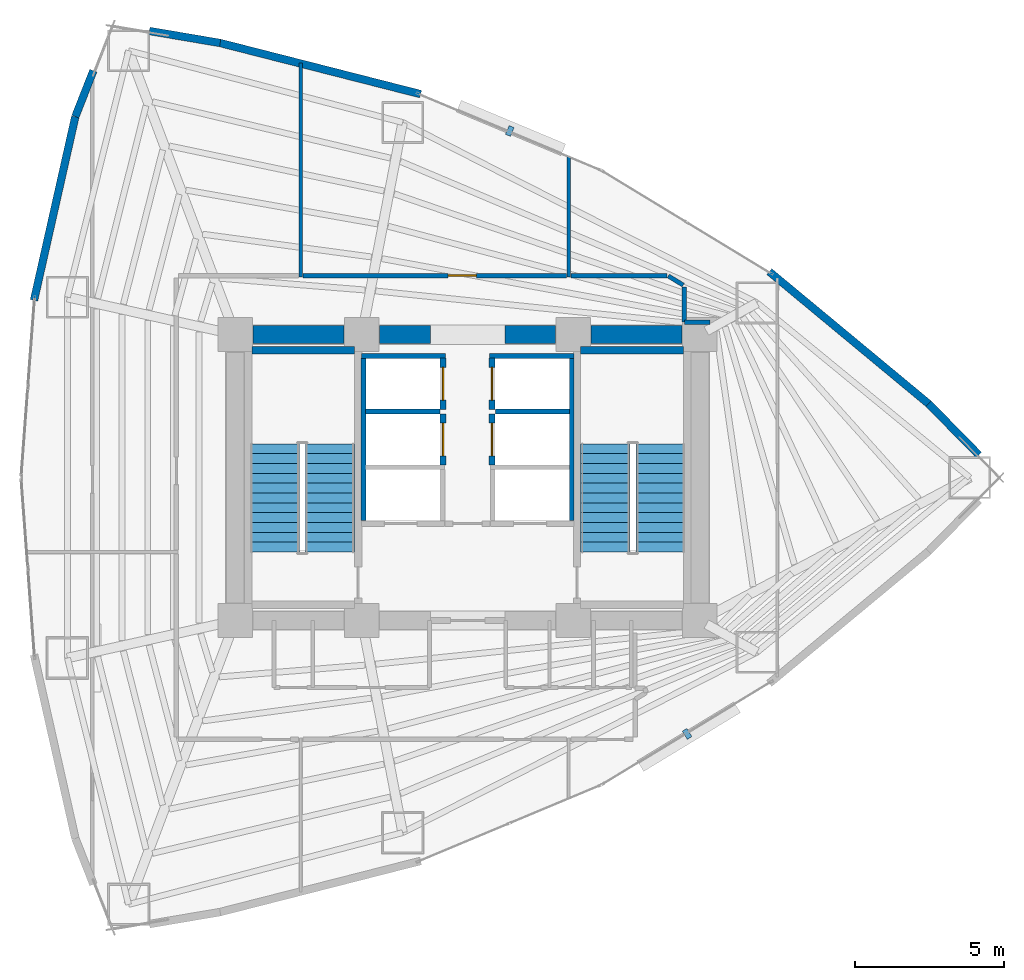
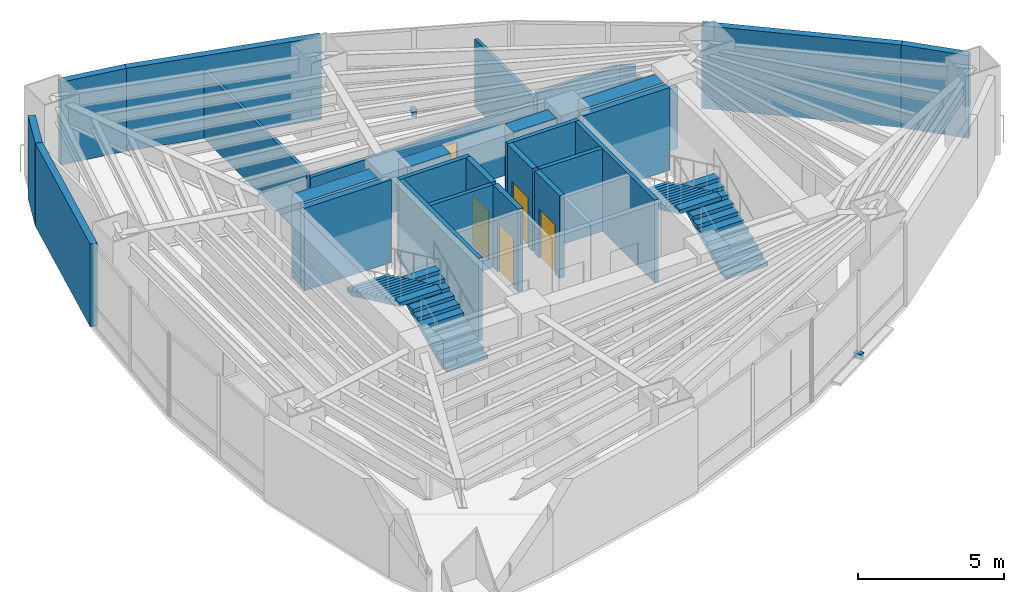
# One storey, part 15 of 17: 29 walls, 5 doors, 4 stair flights, 2 discrete accessories, 5 openings, 2 elements without a shape of their own.
"""IFC4 building model written with IfcOpenShell, lengths in metres."""

from ifc_helpers import new_model, si_unit, direction, frame, frame_2d, origin, origin_2d, place, context, subcontext, project, spatial, polyline, rectangle, outline, extrude, material, layer, layer_set, type_object, element, fill, aggregate, save


model = new_model("IFC4")

# Units and contexts
model_context = context("Model", 3, precision=1e-05, world=origin(), true_north=direction((0.0, 1.0)))
body_context = subcontext(model_context, "Body", "Model", "MODEL_VIEW")
ifc_project = project(units=[si_unit("LENGTHUNIT", "METRE"), si_unit("AREAUNIT", "SQUARE_METRE"), si_unit("VOLUMEUNIT", "CUBIC_METRE"), si_unit("PLANEANGLEUNIT", "RADIAN"), si_unit("MASSUNIT", "GRAM", prefix="KILO")], contexts=[model_context])

# Site, building, storey
site_placement = place(None, origin())
site = spatial("IfcSite", under=ifc_project, at=site_placement, CompositionType="ELEMENT")
building_placement = place(site_placement, origin())
building = spatial("IfcBuilding", under=site, at=building_placement, Name="Menara Vayukalpa", CompositionType="ELEMENT")
storey_placement = place(building_placement, frame((0.0, 0.0, 49.919921875)))
storey = spatial("IfcBuildingStorey", under=building, at=storey_placement, Name="L11", CompositionType="ELEMENT", Elevation=49.919921875)

# Walls
ifc_material_1 = material(Name="Concrete C70/85", Category="concrete")
ifc_layer_1 = layer(ifc_material_1, 0.60009765625)
ifc_layer_set_1 = layer_set([ifc_layer_1], Name="Concrete C70/85")
wall_type_1 = type_object("IfcWallType", Name="WAL-CW600", PredefinedType="SHEAR", material=ifc_layer_set_1)
wall_1_placement = place(storey_placement, frame((18.39501953125, 26.800048828125, 0.0), z_axis=(0.0, 0.0, 1.0), x_axis=(1.0, 0.0, 0.0)))
element("IfcWall", 1, at=wall_1_placement, inside=storey, type_object=wall_type_1, Name="L11 Buttressed Core Shear Wall CWN1", PredefinedType="SHEAR", context=body_context, shape_type="SweptSolid", body=[
    extrude(rectangle(XDim=3.06005859375, YDim=0.60009765625, at=frame_2d((1.530029296875, 0.0))), origin(), (0.0, 0.0, 1.0), 3.469970703125),
])
wall_2_placement = place(storey_placement, frame((22.64501953125, 26.800048828125, 0.0), z_axis=(0.0, 0.0, 1.0), x_axis=(1.0, 0.0, 0.0)))
element("IfcWall", 2, at=wall_2_placement, inside=storey, type_object=wall_type_1, Name="L11 Buttressed Core Shear Wall CWN2", PredefinedType="SHEAR", context=body_context, shape_type="SweptSolid", body=[
    extrude(rectangle(XDim=1.705078125, YDim=0.60009765625, at=frame_2d((0.8525390625, 0.0))), origin(), (0.0, 0.0, 1.0), 3.469970703125),
])
wall_3_placement = place(storey_placement, frame((26.85009765625, 26.800048828125, 0.0), z_axis=(0.0, 0.0, 1.0), x_axis=(1.0, 0.0, 0.0)))
element("IfcWall", 3, at=wall_3_placement, inside=storey, type_object=wall_type_1, Name="L11 Buttressed Core Shear Wall CWN3", PredefinedType="SHEAR", context=body_context, shape_type="SweptSolid", body=[
    extrude(rectangle(XDim=1.704833984375, YDim=0.60009765625, at=frame_2d((0.8525390625, 0.0))), origin(), (0.0, 0.0, 1.0), 3.469970703125),
])
wall_4_placement = place(storey_placement, frame((29.7451171875, 26.800048828125, 0.0), z_axis=(0.0, 0.0, 1.0), x_axis=(1.0, 0.0, 0.0)))
element("IfcWall", 4, at=wall_4_placement, inside=storey, type_object=wall_type_1, Name="L11 Buttressed Core Shear Wall CWN4", PredefinedType="SHEAR", context=body_context, shape_type="SweptSolid", body=[
    extrude(rectangle(XDim=3.059814453125, YDim=0.60009765625, at=frame_2d((1.52978515625, 0.0))), origin(), (0.0, 0.0, 1.0), 3.469970703125),
])
ifc_material_2 = material(Name="Insulated Precast Concrete C40/50", Category="concrete")
ifc_layer_2 = layer(ifc_material_2, 0.260009765625)
ifc_layer_set_2 = layer_set([ifc_layer_2], Name="Insulated Precast Concrete C40/50")
wall_type_2 = type_object("IfcWallType", Name="WAL-EXT260", PredefinedType="PARTITIONING", material=ifc_layer_set_2)
wall_5_placement = place(storey_placement, frame((41.08056640625, 24.479248046875, 0.0), z_axis=(0.0, 0.0, 1.0), x_axis=(0.70059851419, -0.713555689427, 0.0)))
element("IfcWall", 5, at=wall_5_placement, inside=storey, type_object=wall_type_2, Name="L11 Perimeter Terracotta Pier Wall 02", PredefinedType="PARTITIONING", context=body_context, shape_type="SweptSolid", body=[
    extrude(rectangle(XDim=2.411865234375, YDim=0.260009765625, at=frame_2d((1.2060546875, 0.0))), origin(), (0.0, 0.0, 1.0), 3.469970703125),
])
for number, where, z_axis, x_axis, name in (
    (6, (35.732421875, 28.91357421875, 0.0), (0.0, 0.0, 1.0), (0.769754596928, -0.638339925517, 0.0), "L11 Perimeter Terracotta Pier Wall 03"),
    (7, (17.28173828125, 36.595703125, 0.0), (0.0, 0.0, 1.0), (0.968977974408, -0.247147092057, 0.0), "L11 Perimeter Terracotta Pier Wall 06"),
):
    element("IfcWall", number, at=place(storey_placement, frame(where, z_axis=z_axis, x_axis=x_axis)), inside=storey, type_object=wall_type_2, Name=name, PredefinedType="PARTITIONING", context=body_context, shape_type="SweptSolid", body=[
        extrude(rectangle(XDim=6.959228515625, YDim=0.260009765625, at=frame_2d((3.4794921875, 0.0))), origin(), (0.0, 0.0, 1.0), 3.469970703125),
    ])
wall_6_placement = place(storey_placement, frame((14.915283203125, 36.996826171875, 0.0), z_axis=(0.0, 0.0, 1.0), x_axis=(0.985905469923, -0.167303330437, 0.0)))
element("IfcWall", 8, at=wall_6_placement, inside=storey, type_object=wall_type_2, Name="L11 Perimeter Terracotta Pier Wall 07", PredefinedType="PARTITIONING", context=body_context, shape_type="SweptSolid", body=[
    extrude(rectangle(XDim=2.412109375, YDim=0.260009765625, at=frame_2d((1.2060546875, 0.0))), origin(), (0.0, 0.0, 1.0), 3.469970703125),
])
wall_7_placement = place(storey_placement, frame((12.427490234375, 34.119140625, 0.0), z_axis=(0.0, 0.0, 1.0), x_axis=(0.365666052462, 0.930746119023, 0.0)))
element("IfcWall", 9, at=wall_7_placement, inside=storey, type_object=wall_type_2, Name="L11 Perimeter Terracotta Pier Wall 08", PredefinedType="PARTITIONING", context=body_context, shape_type="SweptSolid", body=[
    extrude(rectangle(XDim=1.656494140625, YDim=0.260009765625, at=frame_2d((0.828125, 0.0))), origin(), (0.0, 0.0, 1.0), 3.469970703125),
])
wall_8_placement = place(storey_placement, frame((11.0400390625, 27.952392578125, 0.0), z_axis=(0.0, 0.0, 1.0), x_axis=(0.219502085231, 0.975612030768, 0.0)))
element("IfcWall", 10, at=wall_8_placement, inside=storey, type_object=wall_type_2, Name="L11 Perimeter Terracotta Pier Wall 09", PredefinedType="PARTITIONING", context=body_context, shape_type="SweptSolid", body=[
    extrude(rectangle(XDim=6.32080078125, YDim=0.260009765625, at=frame_2d((3.160400390625, 0.0))), origin(), (0.0, 0.0, 1.0), 3.469970703125),
])
ifc_material_3 = material(Name="Lightweight Concrete Blockwork C16/20", Category="masonry")
ifc_layer_3 = layer(ifc_material_3, 0.159912109375)
ifc_layer_set_3 = layer_set([ifc_layer_3], Name="Lightweight Concrete Blockwork C16/20")
wall_type_3 = type_object("IfcWallType", Name="WAL-FR150", PredefinedType="PARTITIONING", material=ifc_layer_set_3)
wall_9_placement = place(storey_placement, frame((22.10498046875, 20.56005859375, 0.0), z_axis=(0.0, 0.0, 1.0), x_axis=(0.0, 1.0, 0.0)))
element("IfcWall", 11, at=wall_9_placement, inside=storey, type_object=wall_type_3, Name="L11 Interior Partition IW-L11-SHW-WW", PredefinedType="PARTITIONING", context=body_context, shape_type="SweptSolid", body=[
    extrude(rectangle(XDim=5.449951171875, YDim=0.159912109375, at=frame_2d((2.72509765625, 0.0))), origin(), (0.0, 0.0, 1.0), 3.469970703125),
])
wall_10_placement = place(storey_placement, frame((22.179931640625, 24.215087890625, 0.0), z_axis=(0.0, 0.0, 1.0), x_axis=(1.0, 0.0, 0.0)))
element("IfcWall", 12, at=wall_10_placement, inside=storey, type_object=wall_type_3, Name="L11 Interior Partition IW-L11-SHM-W23", PredefinedType="PARTITIONING", context=body_context, shape_type="SweptSolid", body=[
    extrude(rectangle(XDim=2.489990234375, YDim=0.159912109375, at=frame_2d((1.2451171875, 0.0))), origin(), (0.0, 0.0, 1.0), 3.469970703125),
])
wall_11_placement = place(storey_placement, frame((22.030029296875, 26.0849609375, 0.0), z_axis=(0.0, 0.0, 1.0), x_axis=(1.0, 0.0, 0.0)))
element("IfcWall", 13, at=wall_11_placement, inside=storey, type_object=wall_type_3, Name="L11 Interior Partition IW-L11-SHM-W3N", PredefinedType="PARTITIONING", context=body_context, shape_type="SweptSolid", body=[
    extrude(rectangle(XDim=2.830078125, YDim=0.159912109375, at=frame_2d((1.4150390625, 0.0))), origin(), (0.0, 0.0, 1.0), 3.469970703125),
])
wall_12_placement = place(storey_placement, frame((29.094970703125, 20.56005859375, 0.0), z_axis=(0.0, 0.0, 1.0), x_axis=(0.0, 1.0, 0.0)))
element("IfcWall", 14, at=wall_12_placement, inside=storey, type_object=wall_type_3, Name="L11 Interior Partition IW-L11-SHW-EE", PredefinedType="PARTITIONING", context=body_context, shape_type="SweptSolid", body=[
    extrude(rectangle(XDim=5.449951171875, YDim=0.159912109375, at=frame_2d((2.72509765625, 0.0))), origin(), (0.0, 0.0, 1.0), 3.469970703125),
])
wall_13_placement = place(storey_placement, frame((26.530029296875, 24.215087890625, 0.0), z_axis=(0.0, 0.0, 1.0), x_axis=(1.0, 0.0, 0.0)))
element("IfcWall", 15, at=wall_13_placement, inside=storey, type_object=wall_type_3, Name="L11 Interior Partition IW-L11-SHM-E32", PredefinedType="PARTITIONING", context=body_context, shape_type="SweptSolid", body=[
    extrude(rectangle(XDim=2.489990234375, YDim=0.159912109375, at=frame_2d((1.2451171875, 0.0))), origin(), (0.0, 0.0, 1.0), 3.469970703125),
])
wall_14_placement = place(storey_placement, frame((26.340087890625, 26.0849609375, 0.0), z_axis=(0.0, 0.0, 1.0), x_axis=(1.0, 0.0, 0.0)))
element("IfcWall", 16, at=wall_14_placement, inside=storey, type_object=wall_type_3, Name="L11 Interior Partition IW-L11-SHM-E2N", PredefinedType="PARTITIONING", context=body_context, shape_type="SweptSolid", body=[
    extrude(rectangle(XDim=2.829833984375, YDim=0.159912109375, at=frame_2d((1.4150390625, 0.0))), origin(), (0.0, 0.0, 1.0), 3.469970703125),
])

# Wall, opening, door
ifc_material_4 = material(Name="Lightweight Concrete Blockwork C16/20", Category="masonry")
ifc_layer_4 = layer(ifc_material_4, 0.199951171875)
ifc_layer_set_4 = layer_set([ifc_layer_4], Name="Lightweight Concrete Blockwork C16/20")
wall_type_4 = type_object("IfcWallType", Name="WAL-FR200", PredefinedType="PARTITIONING", material=ifc_layer_set_4)
wall_15_placement = place(storey_placement, frame((24.780029296875, 22.419921875, 0.0), z_axis=(0.0, 0.0, 1.0), x_axis=(0.0, 1.0, 0.0)))
wall_15 = element("IfcWall", 17, at=wall_15_placement, inside=storey, type_object=wall_type_4, Name="L11 Interior Partition IW-L11-SH-W2", PredefinedType="PARTITIONING", context=body_context, shape_type="SweptSolid", body=[
    extrude(rectangle(XDim=1.719970703125, YDim=0.199951171875, at=frame_2d((0.85986328125, 0.0))), origin(), (0.0, 0.0, 1.0), 3.469970703125),
])
opening_1_placement = place(wall_15_placement, frame((0.31005859375, 0.0, 0.0)))
opening_1 = element("IfcOpeningElement", 18, at=opening_1_placement, cuts=wall_15, Name="Opening LD1", PredefinedType="OPENING", context=body_context, shape_type="SweptSolid", body=[
    extrude(rectangle(XDim=1.10009765625, YDim=2.080078125, at=frame_2d((0.550048828125, 1.0400390625))), frame((0.0, 0.10986328125, 0.0), z_axis=(0.0, -1.0, 0.0), x_axis=(1.0, 0.0, 0.0)), (0.0, 0.0, 1.0), 0.219970703125),
])
ifc_material_5 = material(Name="Brushed Stainless Steel 316 Lift Door", Category="steel")
door_type_1 = type_object("IfcDoorType", Name="DR-LD110", OperationType="NOTDEFINED", PredefinedType="DOOR", material=ifc_material_5)
door_1_placement = place(opening_1_placement, origin())
door_1 = element("IfcDoor", 19, at=door_1_placement, inside=storey, type_object=door_type_1, Name="L11 Interior Door DR-L11-LD-W2", OperationType="DOUBLE_DOOR_SLIDING", OverallHeight=2.080078125, OverallWidth=1.10009765625, PredefinedType="DOOR", context=body_context, shape_type="SweptSolid", body=[
    extrude(rectangle(XDim=1.10009765625, YDim=2.080078125, at=frame_2d((0.550048828125, 1.0400390625))), frame((0.0, 0.02490234375, 0.0), z_axis=(0.0, -1.0, 0.0), x_axis=(1.0, 0.0, 0.0)), (0.0, 0.0, 1.0), 0.050048828125),
])
fill(opening_1, door_1)

wall_16_placement = place(storey_placement, frame((24.780029296875, 24.2900390625, 0.0), z_axis=(0.0, 0.0, 1.0), x_axis=(0.0, 1.0, 0.0)))
wall_16 = element("IfcWall", 20, at=wall_16_placement, inside=storey, type_object=wall_type_4, Name="L11 Interior Partition IW-L11-SH-W3", PredefinedType="PARTITIONING", context=body_context, shape_type="SweptSolid", body=[
    extrude(rectangle(XDim=1.719970703125, YDim=0.199951171875, at=frame_2d((0.85986328125, 0.0))), origin(), (0.0, 0.0, 1.0), 3.469970703125),
])
opening_2_placement = place(wall_16_placement, frame((0.31005859375, 0.0, 0.0)))
opening_2 = element("IfcOpeningElement", 21, at=opening_2_placement, cuts=wall_16, Name="Opening LD1", PredefinedType="OPENING", context=body_context, shape_type="SweptSolid", body=[
    extrude(rectangle(XDim=1.10009765625, YDim=2.080078125, at=frame_2d((0.550048828125, 1.0400390625))), frame((0.0, 0.10986328125, 0.0), z_axis=(0.0, -1.0, 0.0), x_axis=(1.0, 0.0, 0.0)), (0.0, 0.0, 1.0), 0.219970703125),
])
door_2_placement = place(opening_2_placement, origin())
door_2 = element("IfcDoor", 22, at=door_2_placement, inside=storey, type_object=door_type_1, Name="L11 Interior Door DR-L11-LD-W3", OperationType="DOUBLE_DOOR_SLIDING", OverallHeight=2.080078125, OverallWidth=1.10009765625, PredefinedType="DOOR", context=body_context, shape_type="SweptSolid", body=[
    extrude(rectangle(XDim=1.10009765625, YDim=2.080078125, at=frame_2d((0.550048828125, 1.0400390625))), frame((0.0, 0.02490234375, 0.0), z_axis=(0.0, -1.0, 0.0), x_axis=(1.0, 0.0, 0.0)), (0.0, 0.0, 1.0), 0.050048828125),
])
fill(opening_2, door_2)

wall_17_placement = place(storey_placement, frame((26.419921875, 22.419921875, 0.0), z_axis=(0.0, 0.0, 1.0), x_axis=(0.0, 1.0, 0.0)))
wall_17 = element("IfcWall", 23, at=wall_17_placement, inside=storey, type_object=wall_type_4, Name="L11 Interior Partition IW-L11-SH-E3", PredefinedType="PARTITIONING", context=body_context, shape_type="SweptSolid", body=[
    extrude(rectangle(XDim=1.719970703125, YDim=0.199951171875, at=frame_2d((0.85986328125, 0.0))), origin(), (0.0, 0.0, 1.0), 3.469970703125),
])
opening_3_placement = place(wall_17_placement, frame((0.31005859375, 0.0, 0.0)))
opening_3 = element("IfcOpeningElement", 24, at=opening_3_placement, cuts=wall_17, Name="Opening LD1", PredefinedType="OPENING", context=body_context, shape_type="SweptSolid", body=[
    extrude(rectangle(XDim=1.10009765625, YDim=2.080078125, at=frame_2d((0.550048828125, 1.0400390625))), frame((0.0, 0.10986328125, 0.0), z_axis=(0.0, -1.0, 0.0), x_axis=(1.0, 0.0, 0.0)), (0.0, 0.0, 1.0), 0.219970703125),
])
door_3_placement = place(opening_3_placement, origin())
door_3 = element("IfcDoor", 25, at=door_3_placement, inside=storey, type_object=door_type_1, Name="L11 Interior Door DR-L11-LD-E3", OperationType="DOUBLE_DOOR_SLIDING", OverallHeight=2.080078125, OverallWidth=1.10009765625, PredefinedType="DOOR", context=body_context, shape_type="SweptSolid", body=[
    extrude(rectangle(XDim=1.10009765625, YDim=2.080078125, at=frame_2d((0.550048828125, 1.0400390625))), frame((0.0, 0.02490234375, 0.0), z_axis=(0.0, -1.0, 0.0), x_axis=(1.0, 0.0, 0.0)), (0.0, 0.0, 1.0), 0.050048828125),
])
fill(opening_3, door_3)

wall_18_placement = place(storey_placement, frame((26.419921875, 24.2900390625, 0.0), z_axis=(0.0, 0.0, 1.0), x_axis=(0.0, 1.0, 0.0)))
wall_18 = element("IfcWall", 26, at=wall_18_placement, inside=storey, type_object=wall_type_4, Name="L11 Interior Partition IW-L11-SH-E2", PredefinedType="PARTITIONING", context=body_context, shape_type="SweptSolid", body=[
    extrude(rectangle(XDim=1.719970703125, YDim=0.199951171875, at=frame_2d((0.85986328125, 0.0))), origin(), (0.0, 0.0, 1.0), 3.469970703125),
])
opening_4_placement = place(wall_18_placement, frame((0.31005859375, 0.0, 0.0)))
opening_4 = element("IfcOpeningElement", 27, at=opening_4_placement, cuts=wall_18, Name="Opening LD1", PredefinedType="OPENING", context=body_context, shape_type="SweptSolid", body=[
    extrude(rectangle(XDim=1.10009765625, YDim=2.080078125, at=frame_2d((0.550048828125, 1.0400390625))), frame((0.0, 0.10986328125, 0.0), z_axis=(0.0, -1.0, 0.0), x_axis=(1.0, 0.0, 0.0)), (0.0, 0.0, 1.0), 0.219970703125),
])
door_4_placement = place(opening_4_placement, origin())
door_4 = element("IfcDoor", 28, at=door_4_placement, inside=storey, type_object=door_type_1, Name="L11 Interior Door DR-L11-LD-E2", OperationType="DOUBLE_DOOR_SLIDING", OverallHeight=2.080078125, OverallWidth=1.10009765625, PredefinedType="DOOR", context=body_context, shape_type="SweptSolid", body=[
    extrude(rectangle(XDim=1.10009765625, YDim=2.080078125, at=frame_2d((0.550048828125, 1.0400390625))), frame((0.0, 0.02490234375, 0.0), z_axis=(0.0, -1.0, 0.0), x_axis=(1.0, 0.0, 0.0)), (0.0, 0.0, 1.0), 0.050048828125),
])
fill(opening_4, door_4)

# Walls
ifc_material_6 = material(Name="Gypsum Drywall Steel Stud Assembly", Category="steel")
ifc_layer_5 = layer(ifc_material_6, 0.125)
ifc_layer_set_5 = layer_set([ifc_layer_5], Name="Gypsum Drywall Steel Stud Assembly")
wall_type_5 = type_object("IfcWallType", Name="WAL-PT125", PredefinedType="PARTITIONING", material=ifc_layer_set_5)
wall_19_placement = place(storey_placement, frame((20.0, 28.72998046875, 0.0), z_axis=(0.0, 0.0, 1.0), x_axis=(0.0, 1.0, 0.0)))
element("IfcWall", 29, at=wall_19_placement, inside=storey, type_object=wall_type_5, Name="L11 Interior Partition IW-L11-RDIV03", PredefinedType="PARTITIONING", context=body_context, shape_type="SweptSolid", body=[
    extrude(rectangle(XDim=7.1826171875, YDim=0.125, at=frame_2d((3.59130859375, 0.0))), origin(), (0.0, 0.0, 1.0), 2.85009765625),
])
wall_20_placement = place(storey_placement, frame((29.0, 28.72998046875, 0.0), z_axis=(0.0, 0.0, 1.0), x_axis=(0.0, 1.0, 0.0)))
element("IfcWall", 30, at=wall_20_placement, inside=storey, type_object=wall_type_5, Name="L11 Interior Partition IW-L11-RDIV05", PredefinedType="PARTITIONING", context=body_context, shape_type="SweptSolid", body=[
    extrude(rectangle(XDim=4.058349609375, YDim=0.125, at=frame_2d((2.029296875, 0.0))), origin(), (0.0, 0.0, 1.0), 2.85009765625),
])
ifc_material_7 = material(Name="Gypsum Drywall Acoustic Stud Assembly", Category="masonry")
ifc_layer_6 = layer(ifc_material_7, 0.14501953125)
ifc_layer_set_6 = layer_set([ifc_layer_6], Name="Gypsum Drywall Acoustic Stud Assembly")
wall_type_6 = type_object("IfcWallType", Name="WAL-PT150", PredefinedType="PARTITIONING", material=ifc_layer_set_6)
wall_21_placement = place(storey_placement, frame((33.739990234375, 27.219970703125, 0.0), z_axis=(0.0, 0.0, 1.0), x_axis=(-1.0, 0.0, 0.0)))
element("IfcWall", 31, at=wall_21_placement, inside=storey, type_object=wall_type_6, Name="L11 Interior Partition IW-L11-CRM06-6", PredefinedType="PARTITIONING", context=body_context, shape_type="SweptSolid", body=[
    extrude(rectangle(XDim=0.860107421875, YDim=0.14501953125, at=frame_2d((0.43017578125, 0.0))), origin(), (0.0, 0.0, 1.0), 2.60009765625),
])
wall_22_placement = place(storey_placement, frame((32.8798828125, 27.219970703125, 0.0), z_axis=(0.0, 0.0, 1.0), x_axis=(0.0, 1.0, 0.0)))
element("IfcWall", 32, at=wall_22_placement, inside=storey, type_object=wall_type_6, Name="L11 Interior Partition IW-L11-CRM06-7", PredefinedType="PARTITIONING", context=body_context, shape_type="SweptSolid", body=[
    extrude(rectangle(XDim=1.1748046875, YDim=0.14501953125, at=frame_2d((0.58740234375, 0.0))), origin(), (0.0, 0.0, 1.0), 2.60009765625),
])
wall_23_placement = place(storey_placement, frame((32.841552734375, 28.463134765625, 0.0), z_axis=(0.0, 0.0, 1.0), x_axis=(-0.854807247113, 0.518945633264, 0.0)))
element("IfcWall", 33, at=wall_23_placement, inside=storey, type_object=wall_type_6, Name="L11 Interior Partition IW-L11-CRM06-8", PredefinedType="PARTITIONING", context=body_context, shape_type="SweptSolid", body=[
    extrude(rectangle(XDim=0.588134765625, YDim=0.14501953125, at=frame_2d((0.2939453125, 0.0))), origin(), (0.0, 0.0, 1.0), 3.0),
])
wall_24_placement = place(storey_placement, frame((32.29736328125, 28.780029296875, 0.0), z_axis=(0.0, 0.0, 1.0), x_axis=(-1.0, 0.0, 0.0)))
element("IfcWall", 34, at=wall_24_placement, inside=storey, type_object=wall_type_6, Name="L11 Interior Partition IW-L11-CRM06-9", PredefinedType="PARTITIONING", context=body_context, shape_type="SweptSolid", body=[
    extrude(rectangle(XDim=3.227294921875, YDim=0.14501953125, at=frame_2d((1.61376953125, 0.0))), origin(), (0.0, 0.0, 1.0), 3.0),
])

# Wall, opening, door
wall_25_placement = place(storey_placement, frame((28.929931640625, 28.780029296875, 0.0), z_axis=(0.0, 0.0, 1.0), x_axis=(-1.0, 0.0, 0.0)))
wall_25 = element("IfcWall", 35, at=wall_25_placement, inside=storey, type_object=wall_type_6, Name="L11 Interior Partition IW-L11-CRM07-1", PredefinedType="PARTITIONING", context=body_context, shape_type="SweptSolid", body=[
    extrude(rectangle(XDim=8.85986328125, YDim=0.14501953125, at=frame_2d((4.429931640625, 0.0))), origin(), (0.0, 0.0, 1.0), 2.60009765625),
])
opening_5_placement = place(wall_25_placement, frame((3.0361328125, 0.0, 0.0)))
opening_5 = element("IfcOpeningElement", 36, at=opening_5_placement, cuts=wall_25, Name="Opening ID5", PredefinedType="OPENING", context=body_context, shape_type="SweptSolid", body=[
    extrude(rectangle(XDim=0.949951171875, YDim=2.06005859375, at=frame_2d((0.47509765625, 1.030029296875))), frame((0.0, 0.08251953125, 0.0), z_axis=(0.0, -1.0, 0.0), x_axis=(1.0, 0.0, 0.0)), (0.0, 0.0, 1.0), 0.1650390625),
])
ifc_material_8 = material(Name="Acoustic Hardwood Veneer Timber Door", Category="wood")
door_type_2 = type_object("IfcDoorType", Name="DR-INT95", OperationType="NOTDEFINED", PredefinedType="DOOR", material=ifc_material_8)
door_5_placement = place(opening_5_placement, origin())
door_5 = element("IfcDoor", 37, at=door_5_placement, inside=storey, type_object=door_type_2, Name="L11 Interior Door DR-L11-RM07", OperationType="SINGLE_SWING_RIGHT", OverallHeight=2.06005859375, OverallWidth=0.949951171875, PredefinedType="DOOR", context=body_context, shape_type="SweptSolid", body=[
    extrude(rectangle(XDim=0.949951171875, YDim=2.06005859375, at=frame_2d((0.47509765625, 1.030029296875))), frame((0.0, 0.02490234375, 0.0), z_axis=(0.0, -1.0, 0.0), x_axis=(1.0, 0.0, 0.0)), (0.0, 0.0, 1.0), 0.050048828125),
])
fill(opening_5, door_5)

# Walls
ifc_material_9 = material(Name="Concrete C50/60", Category="concrete")
ifc_layer_7 = layer(ifc_material_9, 0.25)
ifc_layer_set_7 = layer_set([ifc_layer_7], Name="Concrete C50/60")
wall_type_7 = type_object("IfcWallType", Name="WAL-SW250", PredefinedType="SHEAR", material=ifc_layer_set_7)
for number, where, z_axis, x_axis, name in (
    (38, (18.35400390625, 26.27490234375, 0.0), (0.0, 0.0, 1.0), (1.0, 0.0, 0.0), "L11 ST1 Structural Stair Shaft Wall N"),
    (39, (29.39990234375, 26.27490234375, 0.0), (0.0, 0.0, 1.0), (1.0, 0.0, 0.0), "L11 ST2 Structural Stair Shaft Wall N"),
):
    element("IfcWall", number, at=place(storey_placement, frame(where, z_axis=z_axis, x_axis=x_axis)), inside=storey, type_object=wall_type_7, Name=name, PredefinedType="SHEAR", context=body_context, shape_type="SweptSolid", body=[
        extrude(rectangle(XDim=3.446044921875, YDim=0.25, at=frame_2d((1.72314453125, 0.0))), origin(), (0.0, 0.0, 1.0), 3.469970703125),
    ])

# Stair, stair flights
ifc_material_10 = material(Name="Precast Concrete C40/50", Category="concrete")
stair_type = type_object("IfcStairType", Name="STR-T04", PredefinedType="DOUBLE_RETURN_STAIR", material=ifc_material_10)
stair_1_placement = place(storey_placement, origin())
stair_1 = element("IfcStair", 40, at=stair_1_placement, inside=storey, type_object=stair_type, Name="L11 Core Exit Stair ST-1", PredefinedType="DOUBLE_RETURN_STAIR")
ifc_material_11 = material(Name="Precast Concrete C40/50", Category="concrete")
stair_flight_type = type_object("IfcStairFlightType", Name="STF-T04", PredefinedType="STRAIGHT", material=ifc_material_11)
stair_flight_1_placement = place(storey_placement, frame((20.97509765625, 19.5, 0.0), z_axis=(0.0, 0.0, 1.0), x_axis=(0.0, 1.0, 0.0)))
stair_flight_1 = element("IfcStairFlight", 41, at=stair_flight_1_placement, type_object=stair_flight_type, Name="ST-1 flight 1", NumberOfRisers=12, NumberOfTreads=11, PredefinedType="STRAIGHT", RiserHeight=0.155, TreadLength=0.33, context=body_context, shape_type="SweptSolid", body=[
    extrude(outline(polyline([(0.0, 0.0), (0.0, 0.155029296875), (0.330078125, 0.155029296875), (0.330078125, 0.31005859375), (0.659912109375, 0.31005859375), (0.659912109375, 0.465087890625), (0.989990234375, 0.465087890625), (0.989990234375, 0.6201171875), (1.320068359375, 0.6201171875), (1.320068359375, 0.77490234375), (1.64990234375, 0.77490234375), (1.64990234375, 0.929931640625), (1.97998046875, 0.929931640625), (1.97998046875, 1.0849609375), (2.31005859375, 1.0849609375), (2.31005859375, 1.239990234375), (2.639892578125, 1.239990234375), (2.639892578125, 1.39501953125), (2.969970703125, 1.39501953125), (2.969970703125, 1.550048828125), (3.300048828125, 1.550048828125), (3.300048828125, 1.705078125), (3.6298828125, 1.705078125), (3.6298828125, 1.860107421875), (3.6298828125, 1.539306640625), (0.3525390625, 0.0), (0.0, 0.0)])), frame((0.0, 0.824951171875, 0.0), z_axis=(0.0, -1.0, 0.0), x_axis=(1.0, 0.0, 0.0)), (0.0, 0.0, 1.0), 1.64990234375),
])
stair_flight_2_placement = place(storey_placement, frame((19.125, 23.1298828125, 1.860107421875), z_axis=(0.0, 0.0, 1.0), x_axis=(0.0, -1.0, 0.0)))
stair_flight_2 = element("IfcStairFlight", 42, at=stair_flight_2_placement, type_object=stair_flight_type, Name="ST-1 flight 2", NumberOfRisers=12, NumberOfTreads=11, PredefinedType="STRAIGHT", RiserHeight=0.155, TreadLength=0.33, context=body_context, shape_type="SweptSolid", body=[
    extrude(outline(polyline([(0.0, 0.0), (0.0, 0.155029296875), (0.330078125, 0.155029296875), (0.330078125, 0.31005859375), (0.659912109375, 0.31005859375), (0.659912109375, 0.465087890625), (0.989990234375, 0.465087890625), (0.989990234375, 0.6201171875), (1.320068359375, 0.6201171875), (1.320068359375, 0.77490234375), (1.64990234375, 0.77490234375), (1.64990234375, 0.929931640625), (1.97998046875, 0.929931640625), (1.97998046875, 1.0849609375), (2.31005859375, 1.0849609375), (2.31005859375, 1.239990234375), (2.639892578125, 1.239990234375), (2.639892578125, 1.39501953125), (2.969970703125, 1.39501953125), (2.969970703125, 1.550048828125), (3.300048828125, 1.550048828125), (3.300048828125, 1.705078125), (3.6298828125, 1.705078125), (3.6298828125, 1.860107421875), (3.6298828125, 1.539306640625), (0.3525390625, 0.0), (0.0, 0.0)])), frame((0.0, 0.824951171875, 0.0), z_axis=(0.0, -1.0, 0.0), x_axis=(1.0, 0.0, 0.0)), (0.0, 0.0, 1.0), 1.64990234375),
])
aggregate(stair_1, [stair_flight_1, stair_flight_2])

stair_2_placement = place(storey_placement, origin())
stair_2 = element("IfcStair", 43, at=stair_2_placement, inside=storey, type_object=stair_type, Name="L11 Core Exit Stair ST-2", PredefinedType="DOUBLE_RETURN_STAIR")
stair_flight_3_placement = place(storey_placement, frame((32.074951171875, 19.5, 0.0), z_axis=(0.0, 0.0, 1.0), x_axis=(0.0, 1.0, 0.0)))
stair_flight_3 = element("IfcStairFlight", 44, at=stair_flight_3_placement, type_object=stair_flight_type, Name="ST-2 flight 1", NumberOfRisers=12, NumberOfTreads=11, PredefinedType="STRAIGHT", RiserHeight=0.155, TreadLength=0.33, context=body_context, shape_type="SweptSolid", body=[
    extrude(outline(polyline([(0.0, 0.0), (0.0, 0.155029296875), (0.330078125, 0.155029296875), (0.330078125, 0.31005859375), (0.659912109375, 0.31005859375), (0.659912109375, 0.465087890625), (0.989990234375, 0.465087890625), (0.989990234375, 0.6201171875), (1.320068359375, 0.6201171875), (1.320068359375, 0.77490234375), (1.64990234375, 0.77490234375), (1.64990234375, 0.929931640625), (1.97998046875, 0.929931640625), (1.97998046875, 1.0849609375), (2.31005859375, 1.0849609375), (2.31005859375, 1.239990234375), (2.639892578125, 1.239990234375), (2.639892578125, 1.39501953125), (2.969970703125, 1.39501953125), (2.969970703125, 1.550048828125), (3.300048828125, 1.550048828125), (3.300048828125, 1.705078125), (3.6298828125, 1.705078125), (3.6298828125, 1.860107421875), (3.6298828125, 1.539306640625), (0.3525390625, 0.0), (0.0, 0.0)])), frame((0.0, 0.824951171875, 0.0), z_axis=(0.0, -1.0, 0.0), x_axis=(1.0, 0.0, 0.0)), (0.0, 0.0, 1.0), 1.64990234375),
])
stair_flight_4_placement = place(storey_placement, frame((30.22509765625, 23.1298828125, 1.860107421875), z_axis=(0.0, 0.0, 1.0), x_axis=(0.0, -1.0, 0.0)))
stair_flight_4 = element("IfcStairFlight", 45, at=stair_flight_4_placement, type_object=stair_flight_type, Name="ST-2 flight 2", NumberOfRisers=12, NumberOfTreads=11, PredefinedType="STRAIGHT", RiserHeight=0.155, TreadLength=0.33, context=body_context, shape_type="SweptSolid", body=[
    extrude(outline(polyline([(0.0, 0.0), (0.0, 0.155029296875), (0.330078125, 0.155029296875), (0.330078125, 0.31005859375), (0.659912109375, 0.31005859375), (0.659912109375, 0.465087890625), (0.989990234375, 0.465087890625), (0.989990234375, 0.6201171875), (1.320068359375, 0.6201171875), (1.320068359375, 0.77490234375), (1.64990234375, 0.77490234375), (1.64990234375, 0.929931640625), (1.97998046875, 0.929931640625), (1.97998046875, 1.0849609375), (2.31005859375, 1.0849609375), (2.31005859375, 1.239990234375), (2.639892578125, 1.239990234375), (2.639892578125, 1.39501953125), (2.969970703125, 1.39501953125), (2.969970703125, 1.550048828125), (3.300048828125, 1.550048828125), (3.300048828125, 1.705078125), (3.6298828125, 1.705078125), (3.6298828125, 1.860107421875), (3.6298828125, 1.539306640625), (0.3525390625, 0.0), (0.0, 0.0)])), frame((0.0, 0.824951171875, 0.0), z_axis=(0.0, -1.0, 0.0), x_axis=(1.0, 0.0, 0.0)), (0.0, 0.0, 1.0), 1.64990234375),
])
aggregate(stair_2, [stair_flight_3, stair_flight_4])

# Discrete accessories
ifc_material_12 = material(Name="Stainless Steel 316 Sunshade Bracket", Category="steel")
discrete_accessory_type = type_object("IfcDiscreteAccessoryType", Name="ACC-BRK1", PredefinedType="BRACKET", material=ifc_material_12)
for number, where, z_axis, x_axis, name in (
    (46, (27.018310546875, 33.638916015625, -0.15966796875), (0.0, 0.0, 1.0), (-0.922544824647, 0.385889940938, 0.0), "L11 Terracotta Sunshade Bracket 05"),
    (47, (32.9716796875, 13.39306640625, -0.15966796875), (0.0, 0.0, 1.0), (0.85466730962, 0.519176068272, 0.0), "L11 Terracotta Sunshade Bracket 17"),
):
    element("IfcDiscreteAccessory", number, at=place(storey_placement, frame(where, z_axis=z_axis, x_axis=x_axis)), inside=storey, type_object=discrete_accessory_type, Name=name, PredefinedType="BRACKET", context=body_context, shape_type="SweptSolid", body=[
        extrude(rectangle(XDim=0.179931640625, YDim=0.320068359375, at=origin_2d()), origin(), (0.0, 0.0, 1.0), 0.219970703125),
    ])

save(model, "model.ifc")
